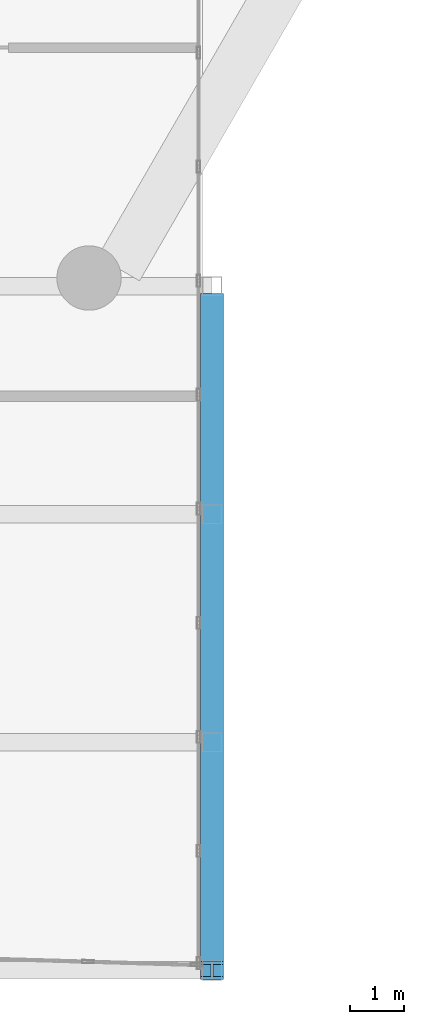
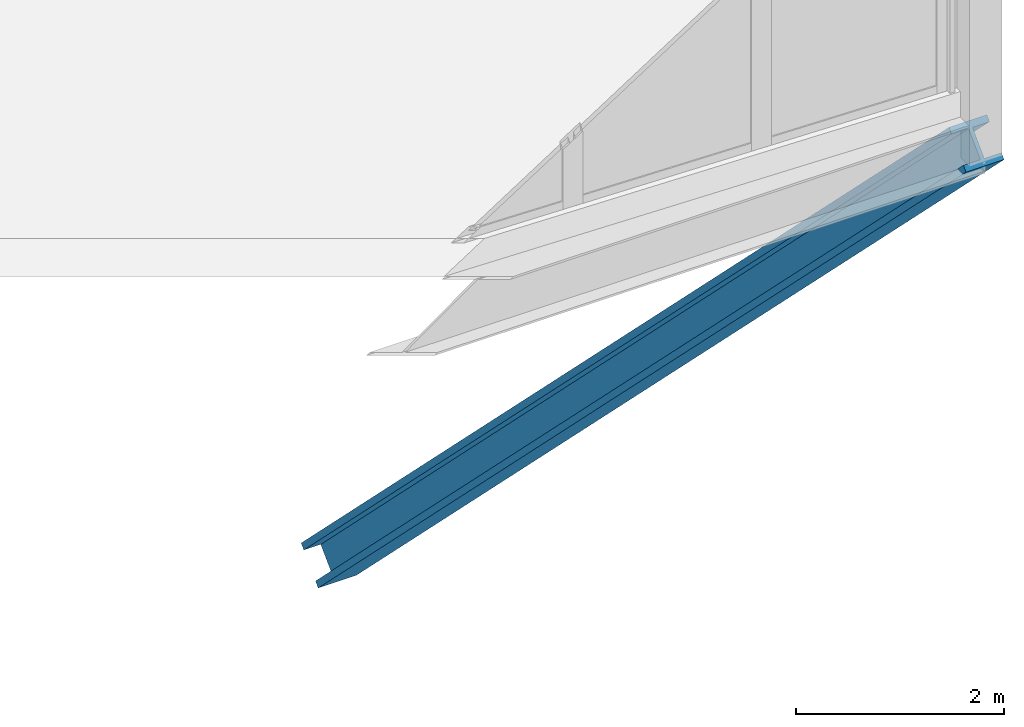
# One storey, part 13 of 37: 1 member.
"""IFC4 building model written with IfcOpenShell, lengths in metres."""

from ifc_helpers import new_model, si_unit, direction, frame, origin, origin_2d, place, context, subcontext, project, spatial, i_section, extrude, material, material_profile, profile_set, type_object, element, save


model = new_model("IFC4")

# Units and contexts
model_context = context("Model", 3, precision=1e-05, world=origin(), true_north=direction((0.0, 1.0)))
body_context = subcontext(model_context, "Body", "Model", "MODEL_VIEW")
ifc_project = project(units=[si_unit("LENGTHUNIT", "METRE"), si_unit("AREAUNIT", "SQUARE_METRE"), si_unit("VOLUMEUNIT", "CUBIC_METRE"), si_unit("PLANEANGLEUNIT", "RADIAN"), si_unit("MASSUNIT", "GRAM", prefix="KILO")], contexts=[model_context])

# Site, building, storey
site_placement = place(None, origin())
site = spatial("IfcSite", under=ifc_project, at=site_placement, CompositionType="ELEMENT")
building_placement = place(site_placement, origin())
building = spatial("IfcBuilding", under=site, at=building_placement, Name="Ostrander Bayou Hotel Tower", CompositionType="ELEMENT")
storey_placement = place(building_placement, frame((0.0, 0.0, 93.0)))
storey = spatial("IfcBuildingStorey", under=building, at=storey_placement, Name="L23", CompositionType="ELEMENT", Elevation=93.0)

# Member
ifc_material = material(Name="Steel ASTM A992", Category="steel")
ifc_material_profile = material_profile(ifc_material, i_section(OverallWidth=0.42138671875, OverallDepth=0.464599609375, WebThickness=0.044921875, FlangeThickness=0.072509765625, at=origin_2d()))
ifc_profile_set = profile_set([ifc_material_profile], Name="Steel ASTM A992")
member_type = type_object("IfcMemberType", Name="TK1 bar kicker strut W14x398", PredefinedType="BRACE", material=ifc_profile_set)
member_placement = place(storey_placement, frame((13.6201171875, -32.199951171875, -0.671875), z_axis=(0.0, 0.707765654512, -0.706447293358), x_axis=(-1.0, 0.0, 0.0)))
element("IfcMember", 1, at=member_placement, inside=storey, type_object=member_type, Name="TK1 SB2SB kicker", PredefinedType="BRACE", context=body_context, shape_type="SweptSolid", body=[
    extrude(i_section(OverallWidth=0.42138671875, OverallDepth=0.464599609375, WebThickness=0.044921875, FlangeThickness=0.072509765625, at=origin_2d()), origin(), (0.0, 0.0, 1.0), 17.592529296875),
])

save(model, "model.ifc")
